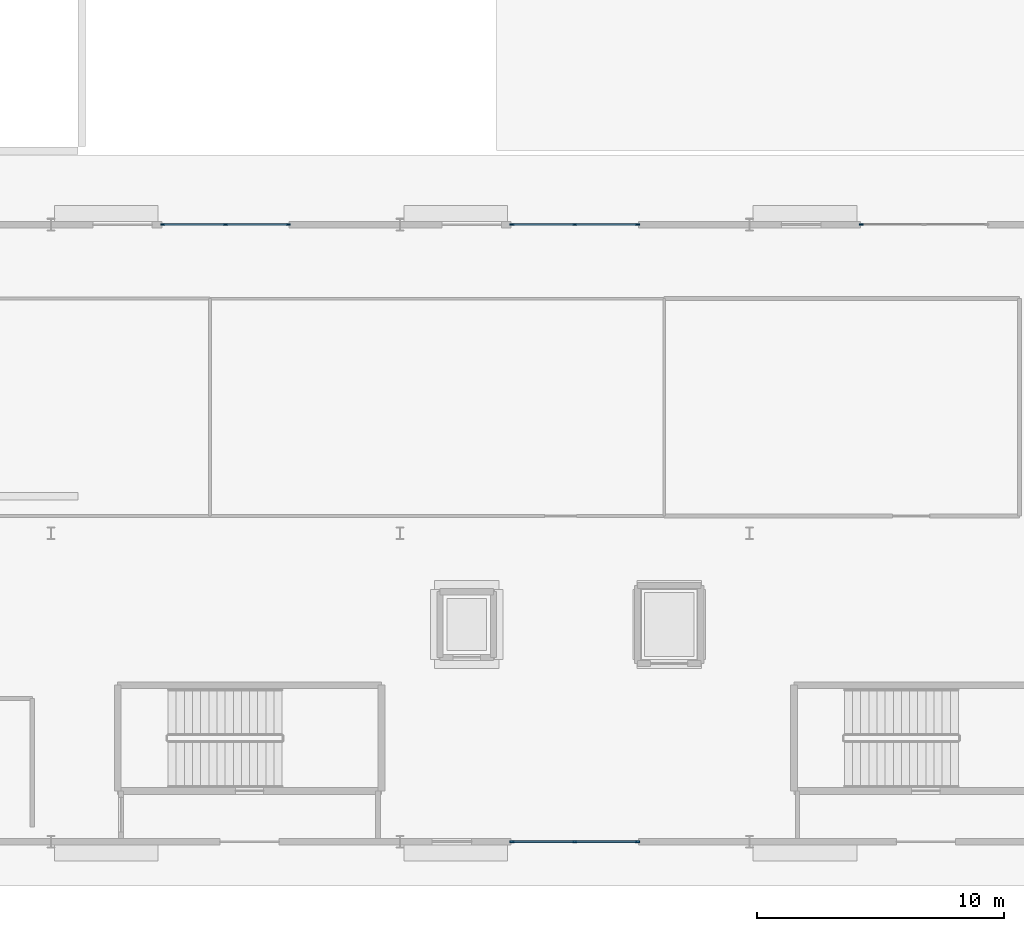
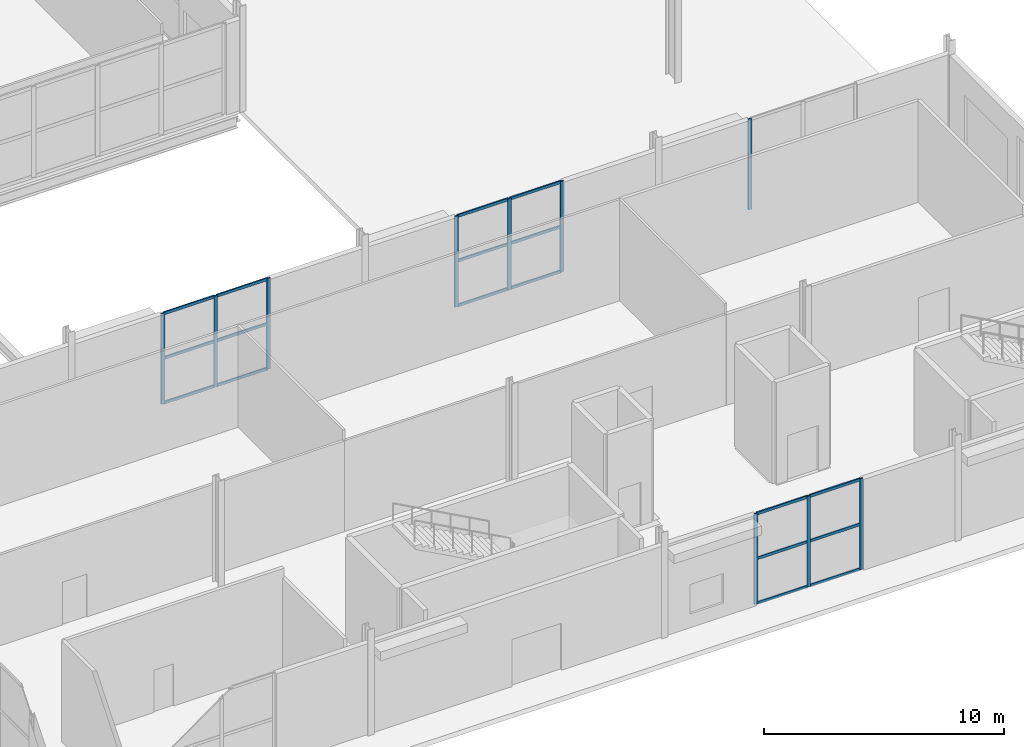
# One storey, part 42 of 87: 28 members, 4 elements without a shape of their own.
"""IFC4 building model written with IfcOpenShell, lengths in metres."""

from ifc_helpers import new_model, si_unit, direction, frame, origin, origin_2d, place, context, subcontext, project, spatial, rectangle, extrude, material, material_profile, profile_set, type_object, element, aggregate, save


model = new_model("IFC4")

# Units and contexts
model_context = context("Model", 3, precision=1e-05, world=origin(), true_north=direction((0.0, 1.0)))
body_context = subcontext(model_context, "Body", "Model", "MODEL_VIEW")
ifc_project = project(units=[si_unit("LENGTHUNIT", "METRE"), si_unit("AREAUNIT", "SQUARE_METRE"), si_unit("VOLUMEUNIT", "CUBIC_METRE"), si_unit("PLANEANGLEUNIT", "RADIAN"), si_unit("MASSUNIT", "GRAM", prefix="KILO")], contexts=[model_context])

# Site, building, storey
site_placement = place(None, origin())
site = spatial("IfcSite", under=ifc_project, at=site_placement, CompositionType="ELEMENT")
building_placement = place(site_placement, origin())
building = spatial("IfcBuilding", under=site, at=building_placement, Name="Kimbaza Rail Terminus", CompositionType="ELEMENT")
storey_placement = place(building_placement, origin())
storey = spatial("IfcBuildingStorey", under=building, at=storey_placement, Name="L00", CompositionType="ELEMENT", Elevation=0.0)

# Curtain wall, members
ifc_material_1 = material(Name="Anodised aluminium framing and solar low-E glazing", Category="aluminium")
curtain_wall_type = type_object("IfcCurtainWallType", Name="ARC-CW-PV1", PredefinedType="USERDEFINED", material=ifc_material_1)
curtain_wall_1_placement = place(storey_placement, origin())
curtain_wall_1 = element("IfcCurtainWall", 1, at=curtain_wall_1_placement, inside=storey, type_object=curtain_wall_type, Name="Pavilion N Curtain Wall L00.2", ObjectType="STICK CURTAIN WALL", PredefinedType="USERDEFINED")
ifc_material_2 = material(Name="Anodised architectural aluminium", Category="aluminium")
ifc_material_profile_1 = material_profile(ifc_material_2, rectangle(XDim=0.06494140625, YDim=0.175048828125, at=origin_2d()), Name="MULLION 65x175")
ifc_profile_set_1 = profile_set([ifc_material_profile_1], Name="Anodised architectural aluminium")
member_type_1 = type_object("IfcMemberType", Name="ARC-CWM-04", PredefinedType="MULLION", material=ifc_profile_set_1)
member_1_placement = place(storey_placement, frame((176.08251953125, 38.0, 0.0), z_axis=(0.0, 0.0, 1.0), x_axis=(0.0, 1.0, 0.0)))
member_1 = element("IfcMember", 2, at=member_1_placement, type_object=member_type_1, Name="CW-04 mullion 1", PredefinedType="MULLION", context=body_context, shape_type="SweptSolid", body=[
    extrude(rectangle(XDim=0.06494140625, YDim=0.175048828125, at=origin_2d()), origin(), (0.0, 0.0, 1.0), 4.625),
])
member_2_placement = place(storey_placement, frame((178.625, 38.0, 0.0), z_axis=(0.0, 0.0, 1.0), x_axis=(0.0, 1.0, 0.0)))
member_2 = element("IfcMember", 3, at=member_2_placement, type_object=member_type_1, Name="CW-04 mullion 2", PredefinedType="MULLION", context=body_context, shape_type="SweptSolid", body=[
    extrude(rectangle(XDim=0.06494140625, YDim=0.175048828125, at=origin_2d()), origin(), (0.0, 0.0, 1.0), 4.625),
])
member_3_placement = place(storey_placement, frame((181.16748046875, 38.0, 0.0), z_axis=(0.0, 0.0, 1.0), x_axis=(0.0, 1.0, 0.0)))
member_3 = element("IfcMember", 4, at=member_3_placement, type_object=member_type_1, Name="CW-04 mullion 3", PredefinedType="MULLION", context=body_context, shape_type="SweptSolid", body=[
    extrude(rectangle(XDim=0.06494140625, YDim=0.175048828125, at=origin_2d()), origin(), (0.0, 0.0, 1.0), 4.625),
])

curtain_wall_2_placement = place(storey_placement, origin())
curtain_wall_2 = element("IfcCurtainWall", 5, at=curtain_wall_2_placement, inside=storey, type_object=curtain_wall_type, Name="Pavilion N Curtain Wall L00.3", ObjectType="STICK CURTAIN WALL", PredefinedType="USERDEFINED")
member_4_placement = place(storey_placement, frame((190.232421875, 38.0, 0.0), z_axis=(0.0, 0.0, 1.0), x_axis=(0.0, 1.0, 0.0)))
member_4 = element("IfcMember", 6, at=member_4_placement, type_object=member_type_1, Name="CW-04 mullion 1", PredefinedType="MULLION", context=body_context, shape_type="SweptSolid", body=[
    extrude(rectangle(XDim=0.06494140625, YDim=0.175048828125, at=origin_2d()), origin(), (0.0, 0.0, 1.0), 4.625),
])
member_5_placement = place(storey_placement, frame((192.77490234375, 38.0, 0.0), z_axis=(0.0, 0.0, 1.0), x_axis=(0.0, 1.0, 0.0)))
member_5 = element("IfcMember", 7, at=member_5_placement, type_object=member_type_1, Name="CW-04 mullion 2", PredefinedType="MULLION", context=body_context, shape_type="SweptSolid", body=[
    extrude(rectangle(XDim=0.06494140625, YDim=0.175048828125, at=origin_2d()), origin(), (0.0, 0.0, 1.0), 4.625),
])
member_6_placement = place(storey_placement, frame((195.3173828125, 38.0, 0.0), z_axis=(0.0, 0.0, 1.0), x_axis=(0.0, 1.0, 0.0)))
member_6 = element("IfcMember", 8, at=member_6_placement, type_object=member_type_1, Name="CW-04 mullion 3", PredefinedType="MULLION", context=body_context, shape_type="SweptSolid", body=[
    extrude(rectangle(XDim=0.06494140625, YDim=0.175048828125, at=origin_2d()), origin(), (0.0, 0.0, 1.0), 4.625),
])

# Curtain wall, member
curtain_wall_3_placement = place(storey_placement, origin())
curtain_wall_3 = element("IfcCurtainWall", 9, at=curtain_wall_3_placement, inside=storey, type_object=curtain_wall_type, Name="Pavilion N Curtain Wall L00.4", ObjectType="STICK CURTAIN WALL", PredefinedType="USERDEFINED")
member_7_placement = place(storey_placement, frame((204.382568359375, 38.0, 0.0), z_axis=(0.0, 0.0, 1.0), x_axis=(0.0, 1.0, 0.0)))
member_7 = element("IfcMember", 10, at=member_7_placement, type_object=member_type_1, Name="CW-04 mullion 1", PredefinedType="MULLION", context=body_context, shape_type="SweptSolid", body=[
    extrude(rectangle(XDim=0.06494140625, YDim=0.175048828125, at=origin_2d()), origin(), (0.0, 0.0, 1.0), 4.625),
])
aggregate(curtain_wall_3, [member_7])

# Curtain wall, members
curtain_wall_4_placement = place(storey_placement, origin())
curtain_wall_4 = element("IfcCurtainWall", 11, at=curtain_wall_4_placement, inside=storey, type_object=curtain_wall_type, Name="Pavilion S Curtain Wall L00.3", ObjectType="STICK CURTAIN WALL", PredefinedType="USERDEFINED")
member_8_placement = place(storey_placement, frame((190.232421875, 13.0, 0.0), z_axis=(0.0, 0.0, 1.0), x_axis=(0.0, 1.0, 0.0)))
member_8 = element("IfcMember", 12, at=member_8_placement, type_object=member_type_1, Name="CW-04 mullion 1", PredefinedType="MULLION", context=body_context, shape_type="SweptSolid", body=[
    extrude(rectangle(XDim=0.06494140625, YDim=0.175048828125, at=origin_2d()), origin(), (0.0, 0.0, 1.0), 4.625),
])
member_9_placement = place(storey_placement, frame((192.77490234375, 13.0, 0.0), z_axis=(0.0, 0.0, 1.0), x_axis=(0.0, 1.0, 0.0)))
member_9 = element("IfcMember", 13, at=member_9_placement, type_object=member_type_1, Name="CW-04 mullion 2", PredefinedType="MULLION", context=body_context, shape_type="SweptSolid", body=[
    extrude(rectangle(XDim=0.06494140625, YDim=0.175048828125, at=origin_2d()), origin(), (0.0, 0.0, 1.0), 4.625),
])
member_10_placement = place(storey_placement, frame((195.3173828125, 13.0, 0.0), z_axis=(0.0, 0.0, 1.0), x_axis=(0.0, 1.0, 0.0)))
member_10 = element("IfcMember", 14, at=member_10_placement, type_object=member_type_1, Name="CW-04 mullion 3", PredefinedType="MULLION", context=body_context, shape_type="SweptSolid", body=[
    extrude(rectangle(XDim=0.06494140625, YDim=0.175048828125, at=origin_2d()), origin(), (0.0, 0.0, 1.0), 4.625),
])

# Member
ifc_material_3 = material(Name="Anodised architectural aluminium", Category="aluminium")
ifc_material_profile_2 = material_profile(ifc_material_3, rectangle(XDim=0.06494140625, YDim=0.139892578125, at=origin_2d()), Name="TRANSOM 65x140")
ifc_profile_set_2 = profile_set([ifc_material_profile_2], Name="Anodised architectural aluminium")
member_type_2 = type_object("IfcMemberType", Name="ARC-CWT-04", PredefinedType="USERDEFINED", material=ifc_profile_set_2)
member_11_placement = place(storey_placement, frame((176.114990234375, 38.0, 0.032470703125), z_axis=(1.0, 0.0, 0.0), x_axis=(0.0, 1.0, 0.0)))
member_11 = element("IfcMember", 15, at=member_11_placement, type_object=member_type_2, Name="CW-04 transom 1.1", ObjectType="TRANSOM", PredefinedType="USERDEFINED", context=body_context, shape_type="SweptSolid", body=[
    extrude(rectangle(XDim=0.06494140625, YDim=0.139892578125, at=origin_2d()), origin(), (0.0, 0.0, 1.0), 2.4775390625),
])

member_12_placement = place(storey_placement, frame((176.114990234375, 38.0, 2.3125), z_axis=(1.0, 0.0, 0.0), x_axis=(0.0, 1.0, 0.0)))
member_12 = element("IfcMember", 16, at=member_12_placement, type_object=member_type_2, Name="CW-04 transom 1.2", ObjectType="TRANSOM", PredefinedType="USERDEFINED", context=body_context, shape_type="SweptSolid", body=[
    extrude(rectangle(XDim=0.06494140625, YDim=0.139892578125, at=origin_2d()), origin(), (0.0, 0.0, 1.0), 2.4775390625),
])

member_13_placement = place(storey_placement, frame((176.114990234375, 38.0, 4.592529296875), z_axis=(1.0, 0.0, 0.0), x_axis=(0.0, 1.0, 0.0)))
member_13 = element("IfcMember", 17, at=member_13_placement, type_object=member_type_2, Name="CW-04 transom 1.3", ObjectType="TRANSOM", PredefinedType="USERDEFINED", context=body_context, shape_type="SweptSolid", body=[
    extrude(rectangle(XDim=0.06494140625, YDim=0.139892578125, at=origin_2d()), origin(), (0.0, 0.0, 1.0), 2.4775390625),
])

member_14_placement = place(storey_placement, frame((178.657470703125, 38.0, 0.032470703125), z_axis=(1.0, 0.0, 0.0), x_axis=(0.0, 1.0, 0.0)))
member_14 = element("IfcMember", 18, at=member_14_placement, type_object=member_type_2, Name="CW-04 transom 2.1", ObjectType="TRANSOM", PredefinedType="USERDEFINED", context=body_context, shape_type="SweptSolid", body=[
    extrude(rectangle(XDim=0.06494140625, YDim=0.139892578125, at=origin_2d()), origin(), (0.0, 0.0, 1.0), 2.4775390625),
])

member_15_placement = place(storey_placement, frame((178.657470703125, 38.0, 2.3125), z_axis=(1.0, 0.0, 0.0), x_axis=(0.0, 1.0, 0.0)))
member_15 = element("IfcMember", 19, at=member_15_placement, type_object=member_type_2, Name="CW-04 transom 2.2", ObjectType="TRANSOM", PredefinedType="USERDEFINED", context=body_context, shape_type="SweptSolid", body=[
    extrude(rectangle(XDim=0.06494140625, YDim=0.139892578125, at=origin_2d()), origin(), (0.0, 0.0, 1.0), 2.4775390625),
])

member_16_placement = place(storey_placement, frame((178.657470703125, 38.0, 4.592529296875), z_axis=(1.0, 0.0, 0.0), x_axis=(0.0, 1.0, 0.0)))
member_16 = element("IfcMember", 20, at=member_16_placement, type_object=member_type_2, Name="CW-04 transom 2.3", ObjectType="TRANSOM", PredefinedType="USERDEFINED", context=body_context, shape_type="SweptSolid", body=[
    extrude(rectangle(XDim=0.06494140625, YDim=0.139892578125, at=origin_2d()), origin(), (0.0, 0.0, 1.0), 2.4775390625),
])

aggregate(curtain_wall_1, [member_1, member_2, member_3, member_11, member_12, member_13, member_14, member_15, member_16])

member_17_placement = place(storey_placement, frame((190.264892578125, 38.0, 0.032470703125), z_axis=(1.0, 0.0, 0.0), x_axis=(0.0, 1.0, 0.0)))
member_17 = element("IfcMember", 21, at=member_17_placement, type_object=member_type_2, Name="CW-04 transom 1.1", ObjectType="TRANSOM", PredefinedType="USERDEFINED", context=body_context, shape_type="SweptSolid", body=[
    extrude(rectangle(XDim=0.06494140625, YDim=0.139892578125, at=origin_2d()), origin(), (0.0, 0.0, 1.0), 2.4775390625),
])

member_18_placement = place(storey_placement, frame((190.264892578125, 38.0, 2.3125), z_axis=(1.0, 0.0, 0.0), x_axis=(0.0, 1.0, 0.0)))
member_18 = element("IfcMember", 22, at=member_18_placement, type_object=member_type_2, Name="CW-04 transom 1.2", ObjectType="TRANSOM", PredefinedType="USERDEFINED", context=body_context, shape_type="SweptSolid", body=[
    extrude(rectangle(XDim=0.06494140625, YDim=0.139892578125, at=origin_2d()), origin(), (0.0, 0.0, 1.0), 2.4775390625),
])

member_19_placement = place(storey_placement, frame((190.264892578125, 38.0, 4.592529296875), z_axis=(1.0, 0.0, 0.0), x_axis=(0.0, 1.0, 0.0)))
member_19 = element("IfcMember", 23, at=member_19_placement, type_object=member_type_2, Name="CW-04 transom 1.3", ObjectType="TRANSOM", PredefinedType="USERDEFINED", context=body_context, shape_type="SweptSolid", body=[
    extrude(rectangle(XDim=0.06494140625, YDim=0.139892578125, at=origin_2d()), origin(), (0.0, 0.0, 1.0), 2.4775390625),
])

member_20_placement = place(storey_placement, frame((192.8076171875, 38.0, 0.032470703125), z_axis=(1.0, 0.0, 0.0), x_axis=(0.0, 1.0, 0.0)))
member_20 = element("IfcMember", 24, at=member_20_placement, type_object=member_type_2, Name="CW-04 transom 2.1", ObjectType="TRANSOM", PredefinedType="USERDEFINED", context=body_context, shape_type="SweptSolid", body=[
    extrude(rectangle(XDim=0.06494140625, YDim=0.139892578125, at=origin_2d()), origin(), (0.0, 0.0, 1.0), 2.477294921875),
])

member_21_placement = place(storey_placement, frame((192.8076171875, 38.0, 2.3125), z_axis=(1.0, 0.0, 0.0), x_axis=(0.0, 1.0, 0.0)))
member_21 = element("IfcMember", 25, at=member_21_placement, type_object=member_type_2, Name="CW-04 transom 2.2", ObjectType="TRANSOM", PredefinedType="USERDEFINED", context=body_context, shape_type="SweptSolid", body=[
    extrude(rectangle(XDim=0.06494140625, YDim=0.139892578125, at=origin_2d()), origin(), (0.0, 0.0, 1.0), 2.477294921875),
])

member_22_placement = place(storey_placement, frame((192.8076171875, 38.0, 4.592529296875), z_axis=(1.0, 0.0, 0.0), x_axis=(0.0, 1.0, 0.0)))
member_22 = element("IfcMember", 26, at=member_22_placement, type_object=member_type_2, Name="CW-04 transom 2.3", ObjectType="TRANSOM", PredefinedType="USERDEFINED", context=body_context, shape_type="SweptSolid", body=[
    extrude(rectangle(XDim=0.06494140625, YDim=0.139892578125, at=origin_2d()), origin(), (0.0, 0.0, 1.0), 2.477294921875),
])

aggregate(curtain_wall_2, [member_4, member_5, member_6, member_17, member_18, member_19, member_20, member_21, member_22])

member_23_placement = place(storey_placement, frame((190.264892578125, 13.0, 0.032470703125), z_axis=(1.0, 0.0, 0.0), x_axis=(0.0, 1.0, 0.0)))
member_23 = element("IfcMember", 27, at=member_23_placement, type_object=member_type_2, Name="CW-04 transom 1.1", ObjectType="TRANSOM", PredefinedType="USERDEFINED", context=body_context, shape_type="SweptSolid", body=[
    extrude(rectangle(XDim=0.06494140625, YDim=0.139892578125, at=origin_2d()), origin(), (0.0, 0.0, 1.0), 2.4775390625),
])

member_24_placement = place(storey_placement, frame((190.264892578125, 13.0, 2.3125), z_axis=(1.0, 0.0, 0.0), x_axis=(0.0, 1.0, 0.0)))
member_24 = element("IfcMember", 28, at=member_24_placement, type_object=member_type_2, Name="CW-04 transom 1.2", ObjectType="TRANSOM", PredefinedType="USERDEFINED", context=body_context, shape_type="SweptSolid", body=[
    extrude(rectangle(XDim=0.06494140625, YDim=0.139892578125, at=origin_2d()), origin(), (0.0, 0.0, 1.0), 2.4775390625),
])

member_25_placement = place(storey_placement, frame((190.264892578125, 13.0, 4.592529296875), z_axis=(1.0, 0.0, 0.0), x_axis=(0.0, 1.0, 0.0)))
member_25 = element("IfcMember", 29, at=member_25_placement, type_object=member_type_2, Name="CW-04 transom 1.3", ObjectType="TRANSOM", PredefinedType="USERDEFINED", context=body_context, shape_type="SweptSolid", body=[
    extrude(rectangle(XDim=0.06494140625, YDim=0.139892578125, at=origin_2d()), origin(), (0.0, 0.0, 1.0), 2.4775390625),
])

member_26_placement = place(storey_placement, frame((192.8076171875, 13.0, 0.032470703125), z_axis=(1.0, 0.0, 0.0), x_axis=(0.0, 1.0, 0.0)))
member_26 = element("IfcMember", 30, at=member_26_placement, type_object=member_type_2, Name="CW-04 transom 2.1", ObjectType="TRANSOM", PredefinedType="USERDEFINED", context=body_context, shape_type="SweptSolid", body=[
    extrude(rectangle(XDim=0.06494140625, YDim=0.139892578125, at=origin_2d()), origin(), (0.0, 0.0, 1.0), 2.477294921875),
])

member_27_placement = place(storey_placement, frame((192.8076171875, 13.0, 2.3125), z_axis=(1.0, 0.0, 0.0), x_axis=(0.0, 1.0, 0.0)))
member_27 = element("IfcMember", 31, at=member_27_placement, type_object=member_type_2, Name="CW-04 transom 2.2", ObjectType="TRANSOM", PredefinedType="USERDEFINED", context=body_context, shape_type="SweptSolid", body=[
    extrude(rectangle(XDim=0.06494140625, YDim=0.139892578125, at=origin_2d()), origin(), (0.0, 0.0, 1.0), 2.477294921875),
])

member_28_placement = place(storey_placement, frame((192.8076171875, 13.0, 4.592529296875), z_axis=(1.0, 0.0, 0.0), x_axis=(0.0, 1.0, 0.0)))
member_28 = element("IfcMember", 32, at=member_28_placement, type_object=member_type_2, Name="CW-04 transom 2.3", ObjectType="TRANSOM", PredefinedType="USERDEFINED", context=body_context, shape_type="SweptSolid", body=[
    extrude(rectangle(XDim=0.06494140625, YDim=0.139892578125, at=origin_2d()), origin(), (0.0, 0.0, 1.0), 2.477294921875),
])

aggregate(curtain_wall_4, [member_8, member_9, member_10, member_23, member_24, member_25, member_26, member_27, member_28])

save(model, "model.ifc")
